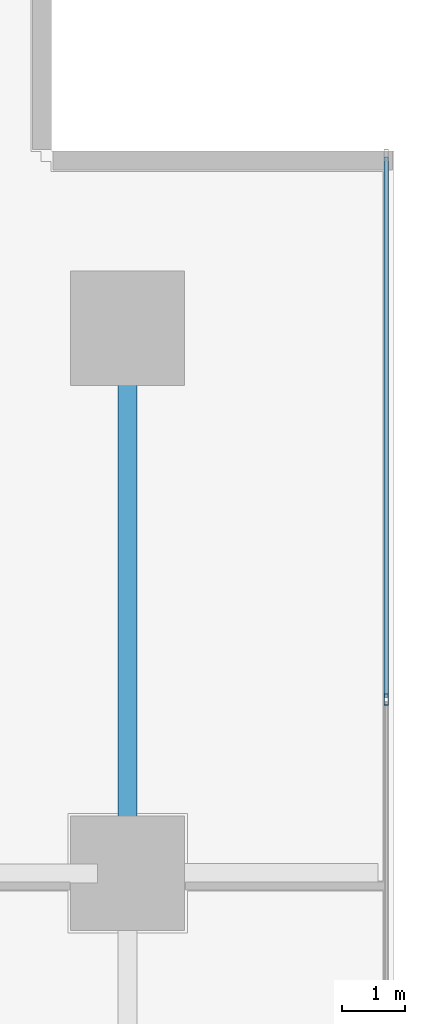
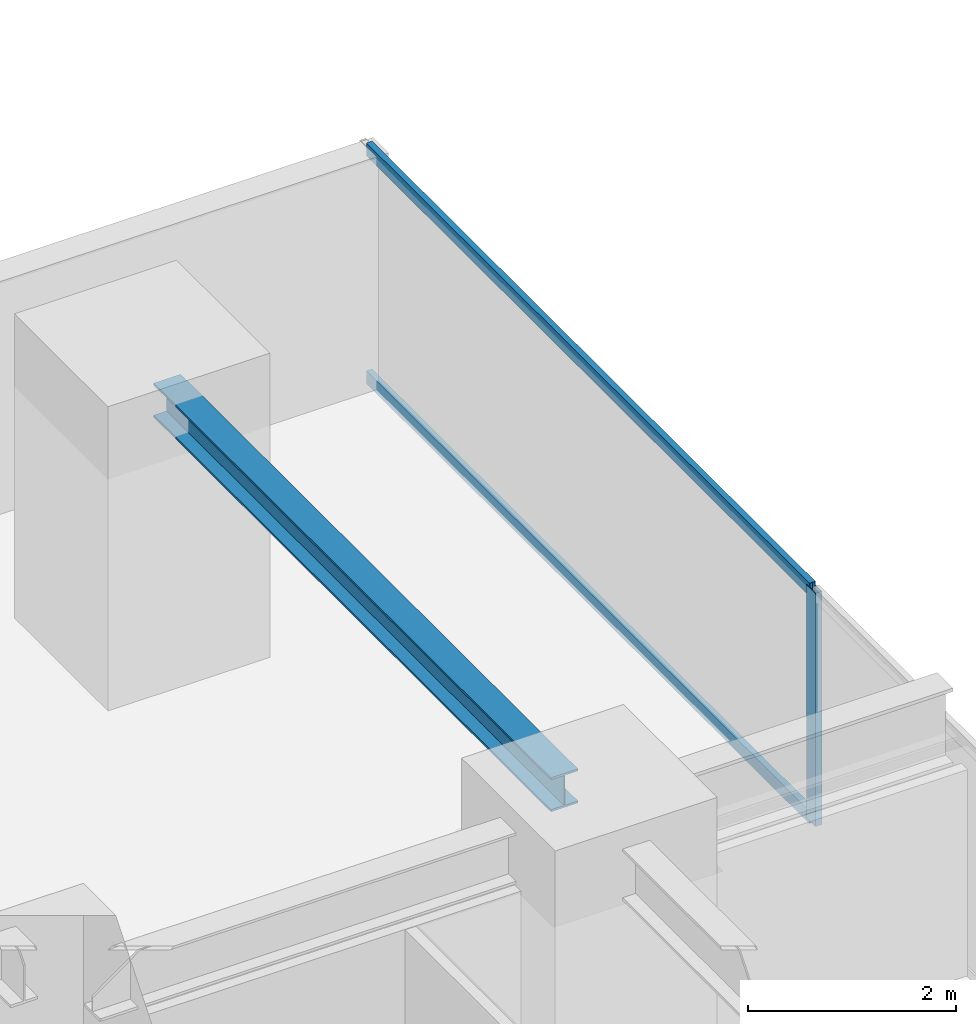
# One storey, part 21 of 33: 3 members, 1 beam, 1 element without a shape of its own.
"""IFC4 building model written with IfcOpenShell, lengths in metres."""

from ifc_helpers import new_model, si_unit, direction, frame, origin, origin_2d, place, context, subcontext, project, spatial, hollow_rectangle, i_section, extrude, source, transform, mapped, material, layer, layer_set, material_profile, profile_set, type_object, element, aggregate, save


model = new_model("IFC4")

# Units and contexts
model_context = context("Model", 3, precision=1e-05, world=origin(), true_north=direction((0.0, 1.0)))
body_context = subcontext(model_context, "Body", "Model", "MODEL_VIEW")
ifc_project = project(units=[si_unit("LENGTHUNIT", "METRE"), si_unit("AREAUNIT", "SQUARE_METRE"), si_unit("VOLUMEUNIT", "CUBIC_METRE"), si_unit("PLANEANGLEUNIT", "RADIAN"), si_unit("MASSUNIT", "GRAM", prefix="KILO")], contexts=[model_context])

# Site, building, storey
site_placement = place(None, origin())
site = spatial("IfcSite", under=ifc_project, at=site_placement, CompositionType="ELEMENT")
building_placement = place(site_placement, origin())
building = spatial("IfcBuilding", under=site, at=building_placement, Name="Sumidabori Civic Tower", CompositionType="ELEMENT")
storey_placement = place(building_placement, frame((0.0, 0.0, 30.800048828125)))
storey = spatial("IfcBuildingStorey", under=building, at=storey_placement, Name="L07", CompositionType="ELEMENT", Elevation=30.800048828125)

# Beam
ifc_material_1 = material(Name="Steel SN490", Category="steel")
ifc_material_profile_1 = material_profile(ifc_material_1, i_section(OverallWidth=0.300048828125, OverallDepth=0.39990234375, WebThickness=0.013427734375, FlangeThickness=0.02392578125, at=origin_2d()), Name="HE 400 B")
ifc_profile_set_1 = profile_set([ifc_material_profile_1], Name="Steel SN490")
beam_type = type_object("IfcBeamType", Name="BM-GIRD-400", PredefinedType="BEAM", material=ifc_profile_set_1)
shared_shape_1 = source(origin(), body_context, "Body", "SweptSolid", [
    extrude(i_section(OverallWidth=0.300048828125, OverallDepth=0.39990234375, WebThickness=0.013427734375, FlangeThickness=0.02392578125, at=origin_2d()), origin(), (0.0, 0.0, 1.0), 7.64013671875),
])
beam_placement = place(storey_placement, frame((22.800048828125, 10.679931640625, 3.159912109375), z_axis=(0.0, 1.0, 0.0), x_axis=(-1.0, 0.0, 0.0)))
element("IfcBeam", 1, at=beam_placement, inside=storey, type_object=beam_type, Name="Primary Girder L07 GY-42", PredefinedType="BEAM", context=body_context, shape_type="MappedRepresentation", body=[
    mapped(shared_shape_1, transform((0.0, 0.0, 0.0), x_axis=(1.0, 0.0, 0.0), y_axis=(0.0, 1.0, 0.0), z_axis=(0.0, 0.0, 1.0), scale=1.0)),
])

# Curtain wall, members
ifc_material_2 = material(Name="Anodised Bronze Aluminium AW-6063-T6", Category="aluminium")
ifc_layer = layer(ifc_material_2, 0.179931640625, Name="Anodised Bronze Aluminium AW-6063-T6")
ifc_layer_set = layer_set([ifc_layer], Name="Anodised Bronze Aluminium AW-6063-T6")
curtain_wall_type = type_object("IfcCurtainWallType", Name="CW-SYS-2", PredefinedType="NOTDEFINED", material=ifc_layer_set)
curtain_wall_placement = place(storey_placement, origin())
curtain_wall = element("IfcCurtainWall", 2, at=curtain_wall_placement, inside=storey, type_object=curtain_wall_type, Name="Curtain Wall CW:L07:R04", PredefinedType="NOTDEFINED")
ifc_material_profile_2 = material_profile(ifc_material_2, hollow_rectangle(XDim=0.070068359375, YDim=0.179931640625, WallThickness=0.006103515625, at=origin_2d()), Name="ALU MULLION 180x70")
ifc_profile_set_2 = profile_set([ifc_material_profile_2], Name="Anodised Bronze Aluminium AW-6063-T6")
member_type_1 = type_object("IfcMemberType", Name="CW-MUL-180", PredefinedType="MULLION", material=ifc_profile_set_2)
shared_shape_2 = source(origin(), body_context, "Body", "SweptSolid", [
    extrude(hollow_rectangle(XDim=0.070068359375, YDim=0.179931640625, WallThickness=0.006103515625, at=origin_2d()), origin(), (0.0, 0.0, 1.0), 2.739990234375),
])
member_1_placement = place(storey_placement, frame((26.8798828125, 12.94189453125, 0.0), z_axis=(0.0, 0.0, 1.0), x_axis=(-1.0, 0.0, 0.0)))
member_1 = element("IfcMember", 3, at=member_1_placement, type_object=member_type_1, Name="CW-2 mullion 5", PredefinedType="MULLION", context=body_context, shape_type="MappedRepresentation", body=[
    mapped(shared_shape_2, transform((0.0, 0.0, 0.0), x_axis=(1.0, 0.0, 0.0), y_axis=(0.0, 1.0, 0.0), z_axis=(0.0, 0.0, 1.0), scale=1.0)),
])
ifc_material_profile_3 = material_profile(ifc_material_2, hollow_rectangle(XDim=0.06494140625, YDim=0.14990234375, WallThickness=0.0048828125, at=origin_2d()), Name="ALU TRANSOM 150x65")
ifc_profile_set_3 = profile_set([ifc_material_profile_3], Name="Anodised Bronze Aluminium AW-6063-T6")
member_type_2 = type_object("IfcMemberType", Name="CW-TRN-150", PredefinedType="USERDEFINED", material=ifc_profile_set_3)
shared_shape_3 = source(origin(), body_context, "Body", "SweptSolid", [
    extrude(hollow_rectangle(XDim=0.06494140625, YDim=0.14990234375, WallThickness=0.0048828125, at=origin_2d()), origin(), (0.0, 0.0, 1.0), 8.52294921875),
])
member_2_placement = place(storey_placement, frame((26.8798828125, 12.97705078125, 0.032470703125), z_axis=(0.0, 1.0, 0.0), x_axis=(-1.0, 0.0, 0.0)))
member_2 = element("IfcMember", 4, at=member_2_placement, type_object=member_type_2, Name="CW-2 transom 5.1", ObjectType="TRANSOM", PredefinedType="USERDEFINED", context=body_context, shape_type="MappedRepresentation", body=[
    mapped(shared_shape_3, transform((0.0, 0.0, 0.0), x_axis=(1.0, 0.0, 0.0), y_axis=(0.0, 1.0, 0.0), z_axis=(0.0, 0.0, 1.0), scale=1.0)),
])
member_3_placement = place(storey_placement, frame((26.8798828125, 12.97705078125, 2.70751953125), z_axis=(0.0, 1.0, 0.0), x_axis=(-1.0, 0.0, 0.0)))
member_3 = element("IfcMember", 5, at=member_3_placement, type_object=member_type_2, Name="CW-2 transom 5.2", ObjectType="TRANSOM", PredefinedType="USERDEFINED", context=body_context, shape_type="MappedRepresentation", body=[
    mapped(shared_shape_3, transform((0.0, 0.0, 0.0), x_axis=(1.0, 0.0, 0.0), y_axis=(0.0, 1.0, 0.0), z_axis=(0.0, 0.0, 1.0), scale=1.0)),
])
aggregate(curtain_wall, [member_1, member_2, member_3])

save(model, "model.ifc")
